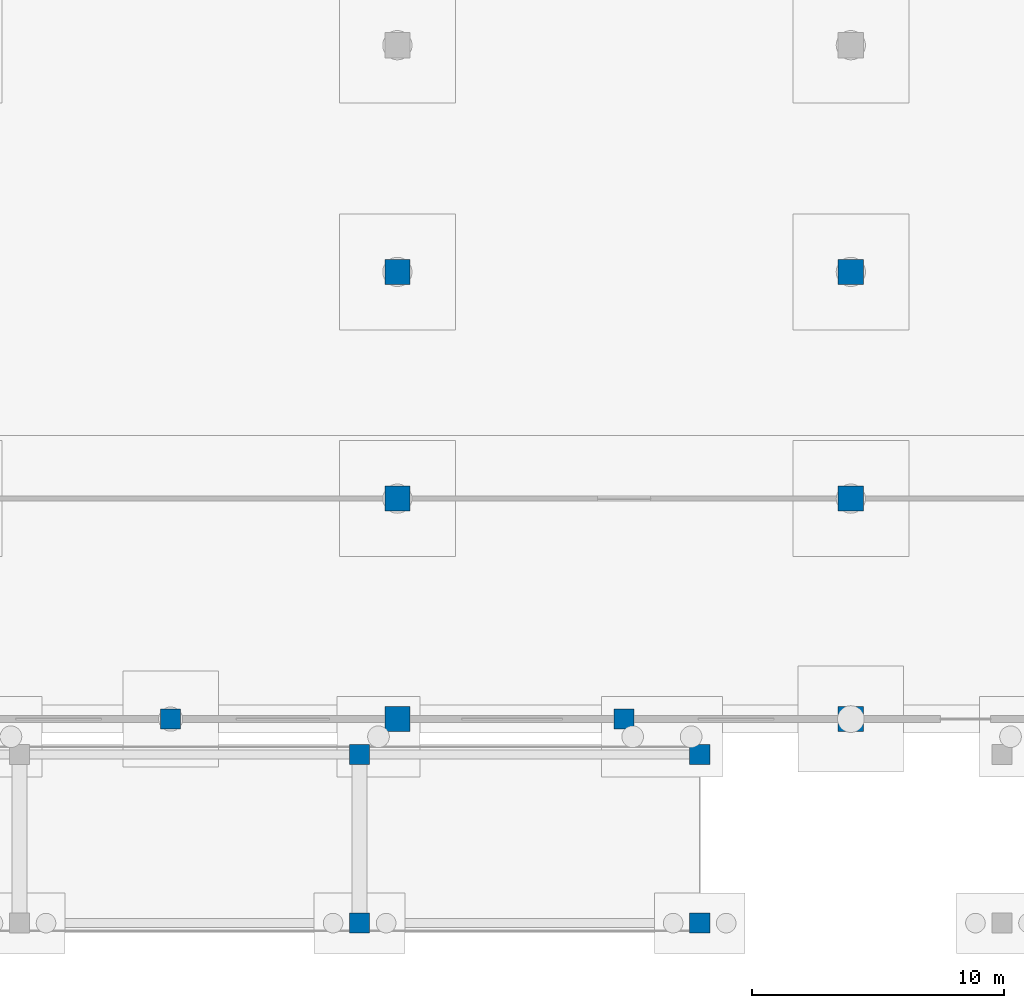
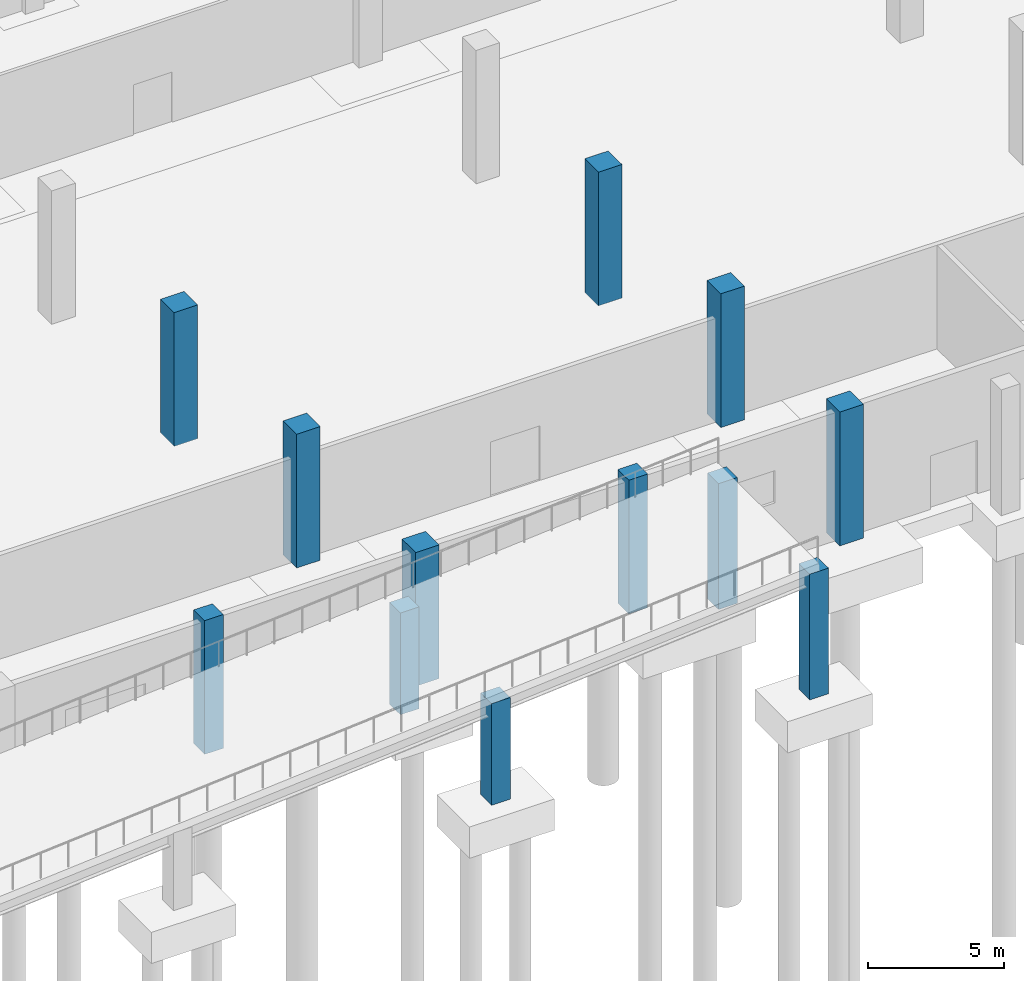
# One storey, part 14 of 131: 12 columns.
"""IFC4 building model written with IfcOpenShell, lengths in metres."""

from ifc_helpers import new_model, si_unit, direction, frame, origin, origin_2d, place, context, subcontext, project, spatial, rectangle, extrude, material, material_profile, profile_set, type_object, element, save


model = new_model("IFC4")

# Units and contexts
model_context = context("Model", 3, precision=1e-05, world=origin(), true_north=direction((0.0, 1.0)))
body_context = subcontext(model_context, "Body", "Model", "MODEL_VIEW")
ifc_project = project(units=[si_unit("LENGTHUNIT", "METRE"), si_unit("AREAUNIT", "SQUARE_METRE"), si_unit("VOLUMEUNIT", "CUBIC_METRE"), si_unit("PLANEANGLEUNIT", "RADIAN"), si_unit("MASSUNIT", "GRAM", prefix="KILO")], contexts=[model_context])

# Site, building, storey
site_placement = place(None, origin())
site = spatial("IfcSite", under=ifc_project, at=site_placement, CompositionType="ELEMENT")
building_placement = place(site_placement, origin())
building = spatial("IfcBuilding", under=site, at=building_placement, Name="Cazmaro Siding Exhibition Halls", CompositionType="ELEMENT")
storey_placement = place(building_placement, origin())
storey = spatial("IfcBuildingStorey", under=building, at=storey_placement, Name="L00", CompositionType="ELEMENT", Elevation=0.0)

# Columns
ifc_material_1 = material(Name="Concrete f'c 45 MPa", Category="concrete")
ifc_material_profile_1 = material_profile(ifc_material_1, rectangle(XDim=1.0, YDim=1.0, at=origin_2d()), Name="RC1000X1000")
ifc_profile_set_1 = profile_set([ifc_material_profile_1], Name="Concrete f'c 45 MPa")
column_type_1 = type_object("IfcColumnType", Name="C-07", PredefinedType="COLUMN", material=ifc_profile_set_1)
for number, where, z_axis, x_axis, name in (
    (1, (108.0, 9.25, 0.0), (0.0, 0.0, 1.0), (1.0, 0.0, 0.0), "Column C-07 COL-0481"),
    (2, (108.0, 18.0, 0.0), (0.0, 0.0, 1.0), (1.0, 0.0, 0.0), "Column C-07 COL-0483"),
    (3, (108.0, 27.0, 0.0), (0.0, 0.0, 1.0), (1.0, 0.0, 0.0), "Column C-07 COL-0485"),
    (4, (126.0, 9.25, 0.0), (0.0, 0.0, 1.0), (1.0, 0.0, 0.0), "Column C-07 COL-0493"),
    (5, (126.0, 18.0, 0.0), (0.0, 0.0, 1.0), (1.0, 0.0, 0.0), "Column C-07 COL-0495"),
    (6, (126.0, 27.0, 0.0), (0.0, 0.0, 1.0), (1.0, 0.0, 0.0), "Column C-07 COL-0497"),
):
    element("IfcColumn", number, at=place(storey_placement, frame(where, z_axis=z_axis, x_axis=x_axis)), inside=storey, type_object=column_type_1, Name=name, PredefinedType="COLUMN", context=body_context, shape_type="SweptSolid", body=[
        extrude(rectangle(XDim=1.0, YDim=1.0, at=origin_2d()), origin(), (0.0, 0.0, 1.0), 6.0),
    ])
ifc_material_2 = material(Name="Concrete f'c 45 MPa", Category="concrete")
ifc_material_profile_2 = material_profile(ifc_material_2, rectangle(XDim=0.800048828125, YDim=0.800048828125, at=origin_2d()), Name="RC800X800")
ifc_profile_set_2 = profile_set([ifc_material_profile_2], Name="Concrete f'c 45 MPa")
column_type_2 = type_object("IfcColumnType", Name="C-08", PredefinedType="COLUMN", material=ifc_profile_set_2)
for number, where, z_axis, x_axis, name in (
    (7, (99.0, 9.25, 0.0), (0.0, 0.0, 1.0), (1.0, 0.0, 0.0), "Column C-08 COL-0581"),
    (8, (117.0, 9.25, 0.0), (0.0, 0.0, 1.0), (1.0, 0.0, 0.0), "Column C-08 COL-0593"),
):
    element("IfcColumn", number, at=place(storey_placement, frame(where, z_axis=z_axis, x_axis=x_axis)), inside=storey, type_object=column_type_2, Name=name, PredefinedType="COLUMN", context=body_context, shape_type="SweptSolid", body=[
        extrude(rectangle(XDim=0.800048828125, YDim=0.800048828125, at=origin_2d()), origin(), (0.0, 0.0, 1.0), 6.0),
    ])
for number, where, z_axis, x_axis, name in (
    (9, (106.5, 1.14990234375, 0.0), (0.0, 0.0, 1.0), (1.0, 0.0, 0.0), "Column C-08 COL-1127"),
    (10, (106.5, 7.85009765625, 0.0), (0.0, 0.0, 1.0), (1.0, 0.0, 0.0), "Column C-08 COL-1128"),
):
    element("IfcColumn", number, at=place(storey_placement, frame(where, z_axis=z_axis, x_axis=x_axis)), inside=storey, type_object=column_type_2, Name=name, PredefinedType="COLUMN", context=body_context, shape_type="SweptSolid", body=[
        extrude(rectangle(XDim=0.800048828125, YDim=0.800048828125, at=origin_2d()), origin(), (0.0, 0.0, 1.0), 4.56396484375),
    ])
for number, where, z_axis, x_axis, name in (
    (11, (120.0, 1.14990234375, 0.0), (0.0, 0.0, 1.0), (1.0, 0.0, 0.0), "Column C-08 COL-1129"),
    (12, (120.0, 7.85009765625, 0.0), (0.0, 0.0, 1.0), (1.0, 0.0, 0.0), "Column C-08 COL-1130"),
):
    element("IfcColumn", number, at=place(storey_placement, frame(where, z_axis=z_axis, x_axis=x_axis)), inside=storey, type_object=column_type_2, Name=name, PredefinedType="COLUMN", context=body_context, shape_type="SweptSolid", body=[
        extrude(rectangle(XDim=0.800048828125, YDim=0.800048828125, at=origin_2d()), origin(), (0.0, 0.0, 1.0), 5.64404296875),
    ])

save(model, "model.ifc")
